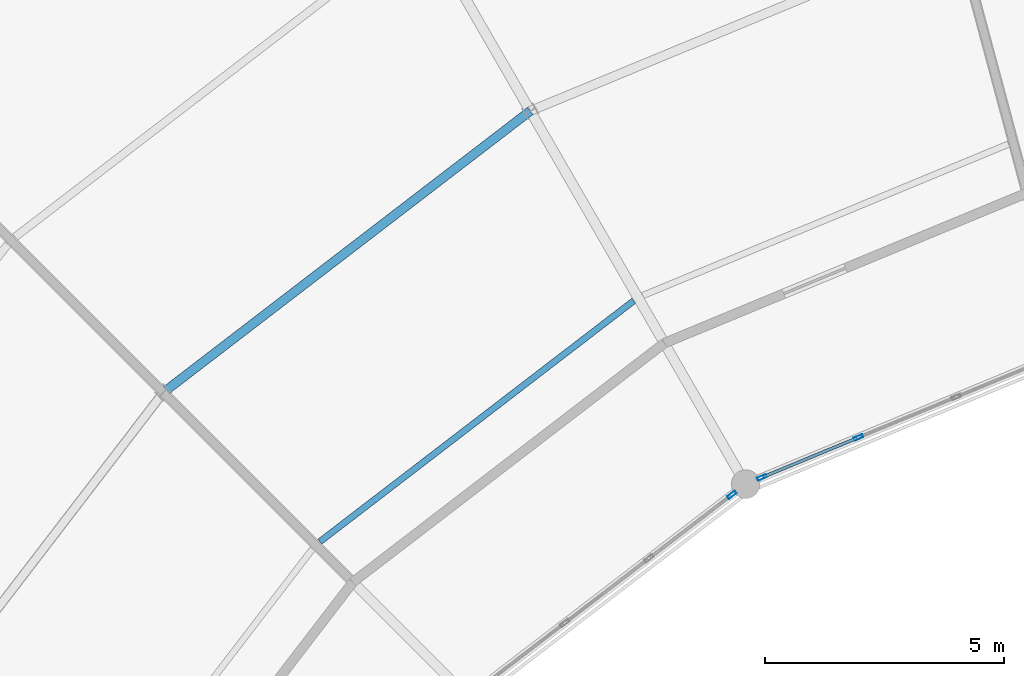
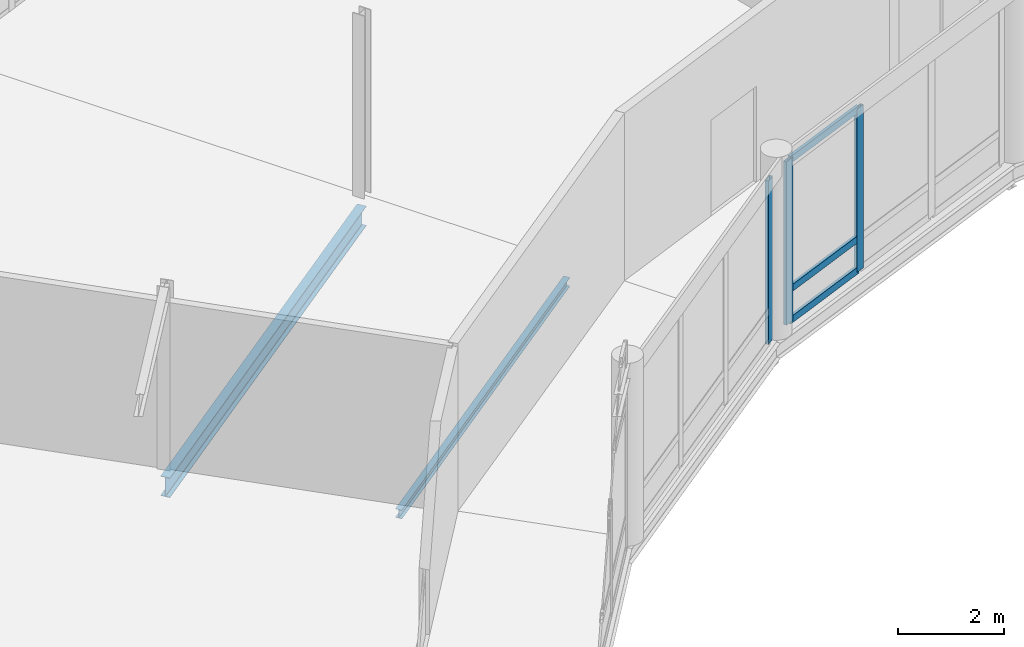
# One storey, part 91 of 200: 6 members, 2 beams, 2 elements without a shape of their own.
"""IFC4 building model written with IfcOpenShell, lengths in metres."""

from ifc_helpers import new_model, si_unit, direction, frame, origin, origin_2d, place, context, subcontext, project, spatial, hollow_rectangle, i_section, extrude, material, material_profile, profile_set, type_object, element, aggregate, save


model = new_model("IFC4")

# Units and contexts
model_context = context("Model", 3, precision=1e-05, world=origin(), true_north=direction((0.0, 1.0)))
body_context = subcontext(model_context, "Body", "Model", "MODEL_VIEW")
ifc_project = project(units=[si_unit("LENGTHUNIT", "METRE"), si_unit("AREAUNIT", "SQUARE_METRE"), si_unit("VOLUMEUNIT", "CUBIC_METRE"), si_unit("PLANEANGLEUNIT", "RADIAN"), si_unit("MASSUNIT", "GRAM", prefix="KILO")], contexts=[model_context])

# Site, building, storey
site_placement = place(None, origin())
site = spatial("IfcSite", under=ifc_project, at=site_placement, CompositionType="ELEMENT")
building_placement = place(site_placement, origin())
building = spatial("IfcBuilding", under=site, at=building_placement, Name="Vondelvale Polytechnic", CompositionType="ELEMENT")
storey_placement = place(building_placement, frame((0.0, 0.0, 13.800048828125)))
storey = spatial("IfcBuildingStorey", under=building, at=storey_placement, Name="L03", CompositionType="ELEMENT", Elevation=13.800048828125)

# Beam
ifc_material_1 = material(Name="Steel 300PLUS (fy = 300 MPa)", Category="steel")
ifc_material_profile_1 = material_profile(ifc_material_1, i_section(OverallWidth=0.18994140625, OverallDepth=0.4541015625, WebThickness=0.008544921875, FlangeThickness=0.0126953125, FilletRadius=0.011474609375, at=origin_2d()), Name="460UB67.1")
ifc_profile_set_1 = profile_set([ifc_material_profile_1], Name="Steel 300PLUS (fy = 300 MPa)")
beam_type_1 = type_object("IfcBeamType", Name="BM-UB460L", PredefinedType="BEAM", material=ifc_profile_set_1)
beam_1_placement = place(storey_placement, frame((83.5, 104.04296875, -0.47705078125), z_axis=(-0.793363832402, -0.60874775518, 0.0), x_axis=(0.60874775518, -0.793363832402, 0.0)))
element("IfcBeam", 1, at=beam_1_placement, inside=storey, type_object=beam_type_1, Name="L03 RB B-22", PredefinedType="BEAM", context=body_context, shape_type="SweptSolid", body=[
    extrude(i_section(OverallWidth=0.18994140625, OverallDepth=0.4541015625, WebThickness=0.008544921875, FlangeThickness=0.0126953125, FilletRadius=0.011474609375, at=origin_2d()), origin(), (0.0, 0.0, 1.0), 9.658935546875),
])

# Curtain wall, members
ifc_material_2 = material(Name="Anodised extruded aluminium 6063-T6", Category="aluminium")
curtain_wall_type = type_object("IfcCurtainWallType", Name="CW-RING-CLOISTER", PredefinedType="NOTDEFINED", material=ifc_material_2)
curtain_wall_1_placement = place(storey_placement, origin())
curtain_wall_1 = element("IfcCurtainWall", 2, at=curtain_wall_1_placement, inside=storey, type_object=curtain_wall_type, Name="L03 architectural curtain wall CW-03-183", PredefinedType="NOTDEFINED")
ifc_material_profile_2 = material_profile(ifc_material_2, hollow_rectangle(XDim=0.070068359375, YDim=0.199951171875, WallThickness=0.00390625, at=origin_2d()), Name="CW-MUL-200x70")
ifc_profile_set_2 = profile_set([ifc_material_profile_2], Name="Anodised extruded aluminium 6063-T6")
member_type_1 = type_object("IfcMemberType", Name="CW-MUL-70x200", PredefinedType="MULLION", material=ifc_profile_set_2)
member_1_placement = place(storey_placement, frame((90.352783203125, 97.22314453125, 0.0), z_axis=(0.0, 0.0, 1.0), x_axis=(0.382678531697, -0.923881562419, 0.0)))
member_1 = element("IfcMember", 3, at=member_1_placement, type_object=member_type_1, Name="CW-03-183 mullion 3", PredefinedType="MULLION", context=body_context, shape_type="SweptSolid", body=[
    extrude(hollow_rectangle(XDim=0.070068359375, YDim=0.199951171875, WallThickness=0.00390625, at=origin_2d()), origin(), (0.0, 0.0, 1.0), 3.75),
])
member_2_placement = place(storey_placement, frame((88.337158203125, 96.388427734375, 0.0), z_axis=(0.0, 0.0, 1.0), x_axis=(0.382678531697, -0.923881562419, 0.0)))
member_2 = element("IfcMember", 4, at=member_2_placement, type_object=member_type_1, Name="CW-03-183 mullion 4", PredefinedType="MULLION", context=body_context, shape_type="SweptSolid", body=[
    extrude(hollow_rectangle(XDim=0.070068359375, YDim=0.199951171875, WallThickness=0.00390625, at=origin_2d()), origin(), (0.0, 0.0, 1.0), 3.75),
])

# Curtain wall, member
curtain_wall_2_placement = place(storey_placement, origin())
curtain_wall_2 = element("IfcCurtainWall", 5, at=curtain_wall_2_placement, inside=storey, type_object=curtain_wall_type, Name="L03 architectural curtain wall CW-03-202", PredefinedType="NOTDEFINED")
member_3_placement = place(storey_placement, frame((87.71142578125, 96.02734375, 0.0), z_axis=(0.0, 0.0, 1.0), x_axis=(0.608747717793, -0.793363861089, 0.0)))
member_3 = element("IfcMember", 6, at=member_3_placement, type_object=member_type_1, Name="CW-03-202 mullion 1", PredefinedType="MULLION", context=body_context, shape_type="SweptSolid", body=[
    extrude(hollow_rectangle(XDim=0.070068359375, YDim=0.199951171875, WallThickness=0.00390625, at=origin_2d()), origin(), (0.0, 0.0, 1.0), 3.75),
])
aggregate(curtain_wall_2, [member_3])

# Member
ifc_material_profile_3 = material_profile(ifc_material_2, hollow_rectangle(XDim=0.06494140625, YDim=0.159912109375, WallThickness=0.00341796875, at=origin_2d()), Name="CW-TRN-160x65")
ifc_profile_set_3 = profile_set([ifc_material_profile_3], Name="Anodised extruded aluminium 6063-T6")
member_type_2 = type_object("IfcMemberType", Name="CW-TRN-70x160", PredefinedType="USERDEFINED", material=ifc_profile_set_3)
member_4_placement = place(storey_placement, frame((90.3203125, 97.209716796875, 0.032470703125), z_axis=(-0.923902685011, -0.382627532503, 0.0), x_axis=(0.382627532503, -0.923902685011, 0.0)))
member_4 = element("IfcMember", 7, at=member_4_placement, type_object=member_type_2, Name="CW-03-183 transom 3.1", ObjectType="TRANSOM", PredefinedType="USERDEFINED", context=body_context, shape_type="SweptSolid", body=[
    extrude(hollow_rectangle(XDim=0.06494140625, YDim=0.159912109375, WallThickness=0.00341796875, at=origin_2d()), origin(), (0.0, 0.0, 1.0), 2.111328125),
])

member_5_placement = place(storey_placement, frame((90.3203125, 97.209716796875, 0.75), z_axis=(-0.923902685011, -0.382627532503, 0.0), x_axis=(0.382627532503, -0.923902685011, 0.0)))
member_5 = element("IfcMember", 8, at=member_5_placement, type_object=member_type_2, Name="CW-03-183 transom 3.2", ObjectType="TRANSOM", PredefinedType="USERDEFINED", context=body_context, shape_type="SweptSolid", body=[
    extrude(hollow_rectangle(XDim=0.06494140625, YDim=0.159912109375, WallThickness=0.00341796875, at=origin_2d()), origin(), (0.0, 0.0, 1.0), 2.111328125),
])

member_6_placement = place(storey_placement, frame((90.3203125, 97.209716796875, 3.717529296875), z_axis=(-0.923902685011, -0.382627532503, 0.0), x_axis=(0.382627532503, -0.923902685011, 0.0)))
member_6 = element("IfcMember", 9, at=member_6_placement, type_object=member_type_2, Name="CW-03-183 transom 3.3", ObjectType="TRANSOM", PredefinedType="USERDEFINED", context=body_context, shape_type="SweptSolid", body=[
    extrude(hollow_rectangle(XDim=0.06494140625, YDim=0.159912109375, WallThickness=0.00341796875, at=origin_2d()), origin(), (0.0, 0.0, 1.0), 2.111328125),
])

aggregate(curtain_wall_1, [member_1, member_2, member_4, member_5, member_6])

# Beam
ifc_material_profile_4 = material_profile(ifc_material_1, i_section(OverallWidth=0.133056640625, OverallDepth=0.202880859375, WebThickness=0.005859375, FlangeThickness=0.0078125, FilletRadius=0.0087890625, at=origin_2d()), Name="200UB25.4")
ifc_profile_set_4 = profile_set([ifc_material_profile_4], Name="Steel 300PLUS (fy = 300 MPa)")
beam_type_2 = type_object("IfcBeamType", Name="JST-UB200", PredefinedType="JOIST", material=ifc_profile_set_4)
beam_2_placement = place(storey_placement, frame((85.66259765625, 100.078857421875, -0.3515625), z_axis=(-0.793361419587, -0.608750899721, 0.0), x_axis=(0.608750899721, -0.793361419587, 0.0)))
element("IfcBeam", 10, at=beam_2_placement, inside=storey, type_object=beam_type_2, Name="L03 RJ J-09", PredefinedType="JOIST", context=body_context, shape_type="SweptSolid", body=[
    extrude(i_section(OverallWidth=0.133056640625, OverallDepth=0.202880859375, WebThickness=0.005859375, FlangeThickness=0.0078125, FilletRadius=0.0087890625, at=origin_2d()), origin(), (0.0, 0.0, 1.0), 8.26416015625),
])

save(model, "model.ifc")
